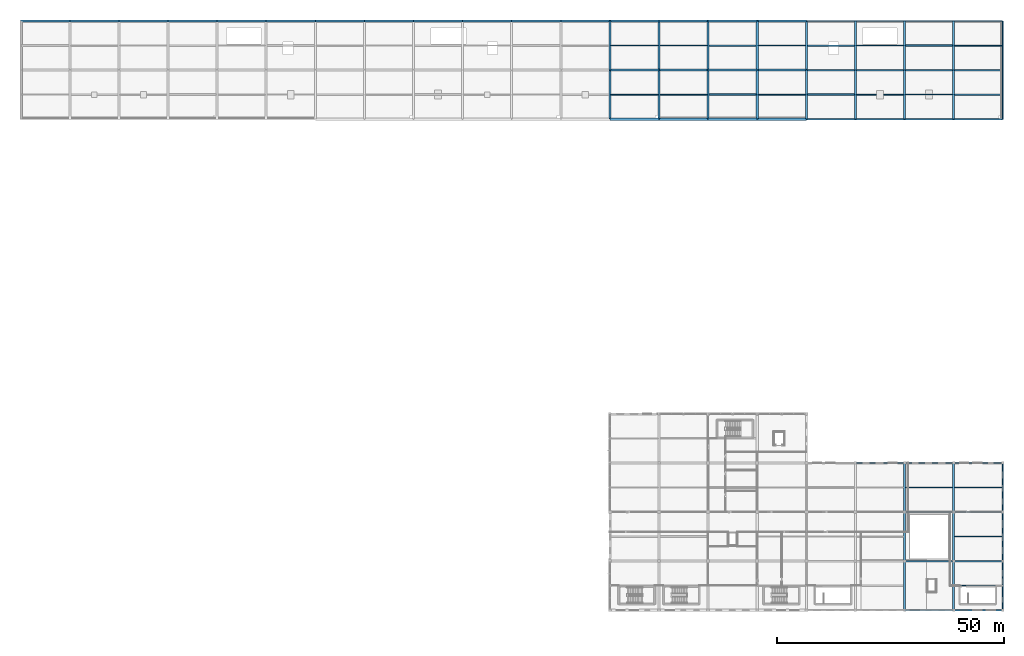
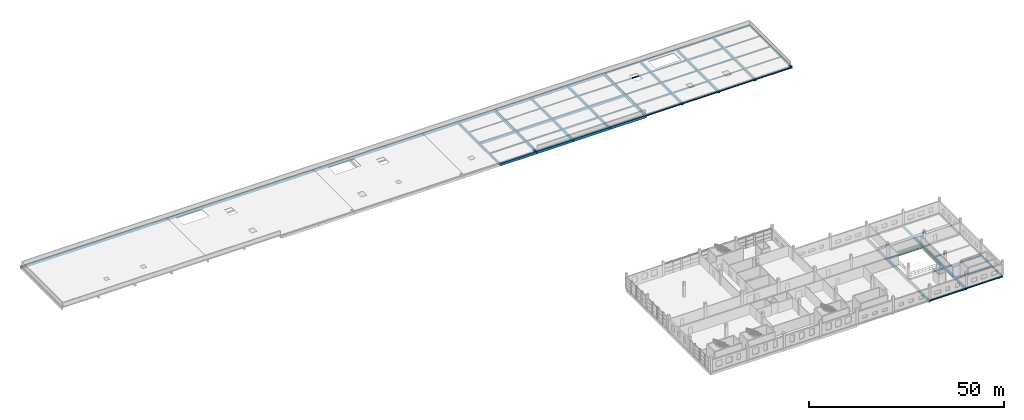
# One storey, part 10 of 24: 92 beams.
"""IFC4 building model written with IfcOpenShell, lengths in metres."""

import ifcopenshell
import ifcopenshell.guid

model = None  # the IFC model being written
_history = None  # IfcOwnerHistory: only IFC2X3 demands one
_inside = {}  # id of a spatial element -> (the spatial element, [elements in it])
_under = {}  # id of a project, library or spatial element -> (it, [spatial elements below it])
_declared = {}  # id of a project -> (the project, [libraries it declares])
_typed = {}  # id of a type object -> (the type object, [elements of that type])
_made_of = {}  # id of a material, layer set ... -> (it, [elements and type objects made of it])


def new_model(schema):
    """Start an empty IFC model of exactly this schema.

    Asked for "IFC4X3", IfcOpenShell would pick the latest addendum, in which some entities
    have other attributes; the version numbers below select the first issue.
    IFC2X3 requires an IfcOwnerHistory on every rooted entity: one is made here for all.
    """
    global model, _history
    if schema == "IFC4X3":
        model = ifcopenshell.file(schema_version=(4, 3, 0, 0))
    else:
        model = ifcopenshell.file(schema=schema)
    _inside.clear()
    _under.clear()
    _declared.clear()
    _typed.clear()
    _made_of.clear()
    _history = None
    if model.schema == "IFC2X3":
        org = make("IfcOrganization", Name="unknown")
        user = make(
            "IfcPersonAndOrganization",
            ThePerson=make("IfcPerson", FamilyName="unknown"),
            TheOrganization=org,
        )
        app = make(
            "IfcApplication",
            ApplicationDeveloper=org,
            Version="unknown",
            ApplicationFullName="unknown",
            ApplicationIdentifier="unknown",
        )
        _history = make(
            "IfcOwnerHistory",
            OwningUser=user,
            OwningApplication=app,
            ChangeAction="ADDED",
            CreationDate=0,
        )
    return model


def make(cls, **values):
    """One entity of the class cls with the attributes given. An attribute that is None is left unset."""
    return model.create_entity(
        cls, **{name: value for name, value in values.items() if value is not None}
    )


def rooted(cls, **values):
    """An entity with a GlobalId (a new one), such as an element, a storey or a relation."""
    return make(cls, GlobalId=ifcopenshell.guid.new(), OwnerHistory=_history, **values)


def si_unit(unit_type, name, prefix=None):
    """IfcSIUnit, for example si_unit("LENGTHUNIT", "METRE", prefix="MILLI")."""
    return make("IfcSIUnit", UnitType=unit_type, Prefix=prefix, Name=name)


def assignment(units):
    """IfcUnitAssignment: the units of a project."""
    return None if units is None else make("IfcUnitAssignment", Units=units)


def point(xyz):
    """IfcCartesianPoint."""
    return None if xyz is None else make("IfcCartesianPoint", Coordinates=xyz)


def direction(xyz):
    """IfcDirection."""
    return None if xyz is None else make("IfcDirection", DirectionRatios=xyz)


def frame(location, z_axis=None, x_axis=None):
    """IfcAxis2Placement3D, a coordinate frame: its origin and axes. An axis left out is left unset."""
    return make(
        "IfcAxis2Placement3D",
        Location=point(location),
        Axis=direction(z_axis),
        RefDirection=direction(x_axis),
    )


def frame_2d(location, x_axis=None):
    """IfcAxis2Placement2D, a coordinate frame in the plane: its origin and x axis."""
    return make(
        "IfcAxis2Placement2D", Location=point(location), RefDirection=direction(x_axis)
    )


def origin():
    """The frame at (0, 0, 0) with its axes left unset."""
    return frame((0.0, 0.0, 0.0))


def origin_2d():
    """The frame at (0, 0) in the plane with its x axis left unset."""
    return frame_2d((0.0, 0.0))


def place(relative_to, where):
    """IfcLocalPlacement: puts the frame where relative to a parent placement (None: the world)."""
    return make(
        "IfcLocalPlacement", PlacementRelTo=relative_to, RelativePlacement=where
    )


def context(
    kind, dimensions, precision=None, world=None, true_north=None, identifier=None
):
    """IfcGeometricRepresentationContext, for example the 3D "Model" context."""
    return make(
        "IfcGeometricRepresentationContext",
        ContextIdentifier=identifier,
        ContextType=kind,
        CoordinateSpaceDimension=dimensions,
        Precision=precision,
        WorldCoordinateSystem=world,
        TrueNorth=true_north,
    )


def subcontext(parent, identifier, kind, view, scale=None):
    """IfcGeometricRepresentationSubContext, for example "Body" below "Model"."""
    return make(
        "IfcGeometricRepresentationSubContext",
        ContextIdentifier=identifier,
        ContextType=kind,
        ParentContext=parent,
        TargetScale=scale,
        TargetView=view,
    )


def project(units=None, contexts=None):
    """IfcProject with its units and contexts."""
    return rooted(
        "IfcProject",
        Name="project",
        RepresentationContexts=contexts,
        UnitsInContext=assignment(units),
    )


def spatial(cls, under=None, at=None, **own):
    """A site, building, storey or space (cls), placed at a placement, below another one or the project."""
    s = rooted(cls, ObjectPlacement=at, **own)
    if under is not None:
        _under.setdefault(under.id(), (under, []))[1].append(s)
    return s


def profile(cls, at=None, kind="AREA", **sizes):
    """A parametric profile (cls). Its sizes go by their IFC names, for example OverallWidth=200.0."""
    return make(cls, ProfileType=kind, Position=at, **sizes)


def rectangle(**sizes):
    """IfcRectangleProfileDef."""
    return profile("IfcRectangleProfileDef", **sizes)


def i_section(**sizes):
    """IfcIShapeProfileDef."""
    return profile("IfcIShapeProfileDef", **sizes)


def extrude(swept, where, along, depth):
    """IfcExtrudedAreaSolid: the profile swept, set in the frame where, extruded along a direction by depth."""
    return make(
        "IfcExtrudedAreaSolid",
        SweptArea=swept,
        Position=where,
        ExtrudedDirection=direction(along),
        Depth=depth,
    )


def shape(context_of_items, identifier, shape_type, items):
    """IfcShapeRepresentation: the items that make up one representation, for example the "Body"."""
    return make(
        "IfcShapeRepresentation",
        ContextOfItems=context_of_items,
        RepresentationIdentifier=identifier,
        RepresentationType=shape_type,
        Items=items,
    )


def material(Name=None, Category=None):
    """IfcMaterial."""
    return make("IfcMaterial", Name=Name, Category=Category)


def material_profile(
    of_material, cross_section, Name=None, Category=None, Priority=None
):
    """IfcMaterialProfile: a cross section and its material."""
    return make(
        "IfcMaterialProfile",
        Name=Name,
        Material=of_material,
        Profile=cross_section,
        Priority=Priority,
        Category=Category,
    )


def profile_set(profiles, Name=None, composite=None):
    """IfcMaterialProfileSet."""
    return make(
        "IfcMaterialProfileSet",
        Name=Name,
        MaterialProfiles=profiles,
        CompositeProfile=composite,
    )


def made_of(thing, what):
    """Note that an element or type object is made of a material, layer set ...; save() writes the relation."""
    if what is not None:
        _made_of.setdefault(what.id(), (what, []))[1].append(thing)
    return thing


def type_object(cls, material=None, **own):
    """A type object (cls), such as IfcWallType, which elements share."""
    return made_of(rooted(cls, **own), material)


def element(
    cls,
    number,
    at=None,
    inside=None,
    cuts=None,
    type_object=None,
    material=None,
    context=None,
    identifier="Body",
    shape_type=None,
    held_by="IfcProductDefinitionShape",
    body=None,
    shapes=None,
    **own,
):
    """One element of the class cls, such as IfcWall. Its Tag is "e" and its number.

    at: its placement. inside: the storey or other place that contains it. cuts: it is an
    opening in that element (IfcRelVoidsElement). A single representation is given by context,
    identifier, shape_type and body (its items); several are given by shapes. held_by: the class
    of the entity that holds the representations. save() writes the other relations.
    """
    e = rooted(cls, Tag="e%d" % number, ObjectPlacement=at, **own)
    if body is not None:
        shapes = [shape(context, identifier, shape_type, body)]
    if shapes is not None:
        e.Representation = make(held_by, Representations=shapes)
    if inside is not None:
        _inside.setdefault(inside.id(), (inside, []))[1].append(e)
    if cuts is not None:
        rooted(
            "IfcRelVoidsElement", RelatingBuildingElement=cuts, RelatedOpeningElement=e
        )
    if type_object is not None:
        _typed.setdefault(type_object.id(), (type_object, []))[1].append(e)
    return made_of(e, material)


def aggregate(whole, parts):
    """IfcRelAggregates: a whole, such as a stair, and the parts it consists of."""
    return rooted("IfcRelAggregates", RelatingObject=whole, RelatedObjects=parts)


def save(model, path):
    """Write the relations noted so far, then the file.

    IfcRelAggregates (storeys below a building ...), IfcRelContainedInSpatialStructure (elements
    in a storey), IfcRelDefinesByType, IfcRelAssociatesMaterial and IfcRelDeclares: one each for
    every whole, place, type object, material and project.
    """
    for whole, parts in _under.values():
        aggregate(whole, parts)
    for where, things in _inside.values():
        rooted(
            "IfcRelContainedInSpatialStructure",
            RelatedElements=things,
            RelatingStructure=where,
        )
    for kind, things in _typed.values():
        rooted("IfcRelDefinesByType", RelatedObjects=things, RelatingType=kind)
    for what, things in _made_of.values():
        rooted("IfcRelAssociatesMaterial", RelatedObjects=things, RelatingMaterial=what)
    for by, libraries in _declared.values():
        rooted("IfcRelDeclares", RelatingContext=by, RelatedDefinitions=libraries)
    model.write(path)


model = new_model("IFC4")

# Units and contexts
model_context = context("Model", 3, precision=1e-05, world=origin(), true_north=direction((0.0, 1.0)))
body_context = subcontext(model_context, "Body", "Model", "MODEL_VIEW")
ifc_project = project(units=[si_unit("LENGTHUNIT", "METRE"), si_unit("AREAUNIT", "SQUARE_METRE"), si_unit("VOLUMEUNIT", "CUBIC_METRE"), si_unit("PLANEANGLEUNIT", "RADIAN"), si_unit("MASSUNIT", "GRAM", prefix="KILO")], contexts=[model_context])

# Site, building, storey
site_placement = place(None, origin())
site = spatial("IfcSite", under=ifc_project, at=site_placement, CompositionType="ELEMENT")
building_placement = place(site_placement, origin())
building = spatial("IfcBuilding", under=site, at=building_placement, Name="Zwinboog Wholesale Market", CompositionType="ELEMENT")
storey_placement = place(building_placement, frame((0.0, 0.0, 10.080078125)))
storey = spatial("IfcBuildingStorey", under=building, at=storey_placement, Name="L02", CompositionType="ELEMENT", Elevation=10.080078125)

# Beams
ifc_material_1 = material(Name="Precast concrete C45/55", Category="concrete")
ifc_material_profile_1 = material_profile(ifc_material_1, rectangle(XDim=0.449951171875, YDim=0.75, at=origin_2d()), Name="PC 450x750")
ifc_profile_set_1 = profile_set([ifc_material_profile_1], Name="Precast concrete C45/55")
beam_type_1 = type_object("IfcBeamType", Name="BT-04", PredefinedType="BEAM", material=ifc_profile_set_1)
for number, where, z_axis, x_axis, name in (
    (1, (194.39990234375, 0.0, -0.70703125), (0.0, 1.0, 0.0), (-1.0, 0.0, 0.0), "BG-04 (BMG-L02-1944-0000-0976)"),
    (2, (194.39990234375, 10.800048828125, -0.70703125), (0.0, 1.0, 0.0), (-1.0, 0.0, 0.0), "BG-04 (BMG-L02-1944-0108-0977)"),
):
    element("IfcBeam", number, at=place(storey_placement, frame(where, z_axis=z_axis, x_axis=x_axis)), inside=storey, type_object=beam_type_1, Name=name, PredefinedType="BEAM", context=body_context, shape_type="SweptSolid", body=[
        extrude(rectangle(XDim=0.449951171875, YDim=0.75, at=origin_2d()), origin(), (0.0, 0.0, 1.0), 10.800048828125),
    ])
beam_1_placement = place(storey_placement, frame((194.39990234375, 21.60009765625, -0.70703125), z_axis=(0.0, 1.0, 0.0), x_axis=(-1.0, 0.0, 0.0)))
element("IfcBeam", 3, at=beam_1_placement, inside=storey, type_object=beam_type_1, Name="BG-04 (BMG-L02-1944-0216-0978)", PredefinedType="BEAM", context=body_context, shape_type="SweptSolid", body=[
    extrude(rectangle(XDim=0.449951171875, YDim=0.75, at=origin_2d()), origin(), (0.0, 0.0, 1.0), 10.7998046875),
])
for number, where, z_axis, x_axis, name in (
    (4, (205.199951171875, 0.0, -0.630126953125), (0.0, 1.0, 0.0), (-1.0, 0.0, 0.0), "BG-04 (BMG-L02-2052-0000-0979)"),
    (5, (205.199951171875, 10.800048828125, -0.630126953125), (0.0, 1.0, 0.0), (-1.0, 0.0, 0.0), "BG-04 (BMG-L02-2052-0108-0980)"),
):
    element("IfcBeam", number, at=place(storey_placement, frame(where, z_axis=z_axis, x_axis=x_axis)), inside=storey, type_object=beam_type_1, Name=name, PredefinedType="BEAM", context=body_context, shape_type="SweptSolid", body=[
        extrude(rectangle(XDim=0.449951171875, YDim=0.75, at=origin_2d()), origin(), (0.0, 0.0, 1.0), 10.800048828125),
    ])
for number, where, z_axis, x_axis, name in (
    (6, (205.199951171875, 21.60009765625, -0.630126953125), (0.0, 1.0, 0.0), (-1.0, 0.0, 0.0), "BG-04 (BMG-L02-2052-0216-0981)"),
    (7, (129.60009765625, 108.0, -0.671142578125), (1.0, 0.0, 0.0), (0.0, 1.0, 0.0), "BG-04 (BM-TER-L02-0079)"),
):
    element("IfcBeam", number, at=place(storey_placement, frame(where, z_axis=z_axis, x_axis=x_axis)), inside=storey, type_object=beam_type_1, Name=name, PredefinedType="BEAM", context=body_context, shape_type="SweptSolid", body=[
        extrude(rectangle(XDim=0.449951171875, YDim=0.75, at=origin_2d()), origin(), (0.0, 0.0, 1.0), 10.7998046875),
    ])
for number, where, z_axis, x_axis, name in (
    (8, (140.39990234375, 108.0, -0.671142578125), (1.0, 0.0, 0.0), (0.0, 1.0, 0.0), "BG-04 (BM-TER-L02-0080)"),
    (9, (151.199951171875, 108.0, -0.636962890625), (1.0, 0.0, 0.0), (0.0, 1.0, 0.0), "BG-04 (BM-TER-L02-0081)"),
    (10, (162.0, 108.0, -0.649169921875), (1.0, 0.0, 0.0), (0.0, 1.0, 0.0), "BG-04 (BM-TER-L02-0082)"),
):
    element("IfcBeam", number, at=place(storey_placement, frame(where, z_axis=z_axis, x_axis=x_axis)), inside=storey, type_object=beam_type_1, Name=name, PredefinedType="BEAM", context=body_context, shape_type="SweptSolid", body=[
        extrude(rectangle(XDim=0.449951171875, YDim=0.75, at=origin_2d()), origin(), (0.0, 0.0, 1.0), 10.800048828125),
    ])
beam_2_placement = place(storey_placement, frame((129.60009765625, 118.800048828125, -0.671142578125), z_axis=(1.0, 0.0, 0.0), x_axis=(0.0, 1.0, 0.0)))
element("IfcBeam", 11, at=beam_2_placement, inside=storey, type_object=beam_type_1, Name="BG-04 (BM-TER-L02-0099)", PredefinedType="BEAM", context=body_context, shape_type="SweptSolid", body=[
    extrude(rectangle(XDim=0.449951171875, YDim=0.75, at=origin_2d()), origin(), (0.0, 0.0, 1.0), 10.7998046875),
])
for number, where, z_axis, x_axis, name in (
    (12, (140.39990234375, 118.800048828125, -0.671142578125), (1.0, 0.0, 0.0), (0.0, 1.0, 0.0), "BG-04 (BM-TER-L02-0100)"),
    (13, (151.199951171875, 118.800048828125, -0.636962890625), (1.0, 0.0, 0.0), (0.0, 1.0, 0.0), "BG-04 (BM-TER-L02-0101)"),
    (14, (162.0, 118.800048828125, -0.649169921875), (1.0, 0.0, 0.0), (0.0, 1.0, 0.0), "BG-04 (BM-TER-L02-0102)"),
    (15, (0.0, 129.60009765625, -0.649169921875), (1.0, 0.0, 0.0), (0.0, 1.0, 0.0), "BG-04 (BM-TER-L02-0107)"),
    (16, (10.800048828125, 129.60009765625, -0.649169921875), (1.0, 0.0, 0.0), (0.0, 1.0, 0.0), "BG-04 (BM-TER-L02-0108)"),
):
    element("IfcBeam", number, at=place(storey_placement, frame(where, z_axis=z_axis, x_axis=x_axis)), inside=storey, type_object=beam_type_1, Name=name, PredefinedType="BEAM", context=body_context, shape_type="SweptSolid", body=[
        extrude(rectangle(XDim=0.449951171875, YDim=0.75, at=origin_2d()), origin(), (0.0, 0.0, 1.0), 10.800048828125),
    ])
beam_3_placement = place(storey_placement, frame((21.60009765625, 129.60009765625, -0.649169921875), z_axis=(1.0, 0.0, 0.0), x_axis=(0.0, 1.0, 0.0)))
element("IfcBeam", 17, at=beam_3_placement, inside=storey, type_object=beam_type_1, Name="BG-04 (BM-TER-L02-0109)", PredefinedType="BEAM", context=body_context, shape_type="SweptSolid", body=[
    extrude(rectangle(XDim=0.449951171875, YDim=0.75, at=origin_2d()), origin(), (0.0, 0.0, 1.0), 10.7998046875),
])
for number, where, z_axis, x_axis, name in (
    (18, (32.39990234375, 129.60009765625, -0.671142578125), (1.0, 0.0, 0.0), (0.0, 1.0, 0.0), "BG-04 (BM-TER-L02-0110)"),
    (19, (43.199951171875, 129.60009765625, -0.671142578125), (1.0, 0.0, 0.0), (0.0, 1.0, 0.0), "BG-04 (BM-TER-L02-0111)"),
    (20, (54.0, 129.60009765625, -0.671142578125), (1.0, 0.0, 0.0), (0.0, 1.0, 0.0), "BG-04 (BM-TER-L02-0112)"),
    (21, (64.800048828125, 129.60009765625, -0.671142578125), (1.0, 0.0, 0.0), (0.0, 1.0, 0.0), "BG-04 (BM-TER-L02-0113)"),
):
    element("IfcBeam", number, at=place(storey_placement, frame(where, z_axis=z_axis, x_axis=x_axis)), inside=storey, type_object=beam_type_1, Name=name, PredefinedType="BEAM", context=body_context, shape_type="SweptSolid", body=[
        extrude(rectangle(XDim=0.449951171875, YDim=0.75, at=origin_2d()), origin(), (0.0, 0.0, 1.0), 10.800048828125),
    ])
beam_4_placement = place(storey_placement, frame((75.60009765625, 129.60009765625, -0.671142578125), z_axis=(1.0, 0.0, 0.0), x_axis=(0.0, 1.0, 0.0)))
element("IfcBeam", 22, at=beam_4_placement, inside=storey, type_object=beam_type_1, Name="BG-04 (BM-TER-L02-0114)", PredefinedType="BEAM", context=body_context, shape_type="SweptSolid", body=[
    extrude(rectangle(XDim=0.449951171875, YDim=0.75, at=origin_2d()), origin(), (0.0, 0.0, 1.0), 10.7998046875),
])
for number, where, z_axis, x_axis, name in (
    (23, (86.39990234375, 129.60009765625, -0.671142578125), (1.0, 0.0, 0.0), (0.0, 1.0, 0.0), "BG-04 (BM-TER-L02-0115)"),
    (24, (97.199951171875, 129.60009765625, -0.649169921875), (1.0, 0.0, 0.0), (0.0, 1.0, 0.0), "BG-04 (BM-TER-L02-0116)"),
    (25, (108.0, 129.60009765625, -0.671142578125), (1.0, 0.0, 0.0), (0.0, 1.0, 0.0), "BG-04 (BM-TER-L02-0117)"),
    (26, (118.800048828125, 129.60009765625, -0.671142578125), (1.0, 0.0, 0.0), (0.0, 1.0, 0.0), "BG-04 (BM-TER-L02-0118)"),
):
    element("IfcBeam", number, at=place(storey_placement, frame(where, z_axis=z_axis, x_axis=x_axis)), inside=storey, type_object=beam_type_1, Name=name, PredefinedType="BEAM", context=body_context, shape_type="SweptSolid", body=[
        extrude(rectangle(XDim=0.449951171875, YDim=0.75, at=origin_2d()), origin(), (0.0, 0.0, 1.0), 10.800048828125),
    ])
beam_5_placement = place(storey_placement, frame((129.60009765625, 129.60009765625, -0.671142578125), z_axis=(1.0, 0.0, 0.0), x_axis=(0.0, 1.0, 0.0)))
element("IfcBeam", 27, at=beam_5_placement, inside=storey, type_object=beam_type_1, Name="BG-04 (BM-TER-L02-0119)", PredefinedType="BEAM", context=body_context, shape_type="SweptSolid", body=[
    extrude(rectangle(XDim=0.449951171875, YDim=0.75, at=origin_2d()), origin(), (0.0, 0.0, 1.0), 10.7998046875),
])
for number, where, z_axis, x_axis, name in (
    (28, (140.39990234375, 129.60009765625, -0.671142578125), (1.0, 0.0, 0.0), (0.0, 1.0, 0.0), "BG-04 (BM-TER-L02-0120)"),
    (29, (151.199951171875, 129.60009765625, -0.636962890625), (1.0, 0.0, 0.0), (0.0, 1.0, 0.0), "BG-04 (BM-TER-L02-0121)"),
    (30, (162.0, 129.60009765625, -0.649169921875), (1.0, 0.0, 0.0), (0.0, 1.0, 0.0), "BG-04 (BM-TER-L02-0122)"),
    (31, (129.60009765625, 108.0, -0.671142578125), (0.0, 1.0, 0.0), (-1.0, 0.0, 0.0), "BG-04 (BM-TER-L02-0151)"),
    (32, (129.60009765625, 118.800048828125, -0.671142578125), (0.0, 1.0, 0.0), (-1.0, 0.0, 0.0), "BG-04 (BM-TER-L02-0152)"),
    (33, (140.39990234375, 108.0, -0.671142578125), (0.0, 1.0, 0.0), (-1.0, 0.0, 0.0), "BG-04 (BM-TER-L02-0153)"),
    (34, (140.39990234375, 118.800048828125, -0.671142578125), (0.0, 1.0, 0.0), (-1.0, 0.0, 0.0), "BG-04 (BM-TER-L02-0154)"),
    (35, (151.199951171875, 108.0, -0.636962890625), (0.0, 1.0, 0.0), (-1.0, 0.0, 0.0), "BG-04 (BM-TER-L02-0155)"),
    (36, (151.199951171875, 118.800048828125, -0.636962890625), (0.0, 1.0, 0.0), (-1.0, 0.0, 0.0), "BG-04 (BM-TER-L02-0156)"),
    (37, (162.0, 108.0, -0.636962890625), (0.0, 1.0, 0.0), (-1.0, 0.0, 0.0), "BG-04 (BM-TER-L02-0157)"),
    (38, (162.0, 118.800048828125, -0.636962890625), (0.0, 1.0, 0.0), (-1.0, 0.0, 0.0), "BG-04 (BM-TER-L02-0158)"),
    (39, (172.800048828125, 108.0, -0.649169921875), (0.0, 1.0, 0.0), (-1.0, 0.0, 0.0), "BG-04 (BM-TER-L02-0159)"),
    (40, (172.800048828125, 118.800048828125, -0.649169921875), (0.0, 1.0, 0.0), (-1.0, 0.0, 0.0), "BG-04 (BM-TER-L02-0160)"),
    (41, (183.60009765625, 108.0, -0.649169921875), (0.0, 1.0, 0.0), (-1.0, 0.0, 0.0), "BG-04 (BM-TER-L02-0161)"),
    (42, (183.60009765625, 118.800048828125, -0.649169921875), (0.0, 1.0, 0.0), (-1.0, 0.0, 0.0), "BG-04 (BM-TER-L02-0162)"),
    (43, (194.39990234375, 108.0, -0.649169921875), (0.0, 1.0, 0.0), (-1.0, 0.0, 0.0), "BG-04 (BM-TER-L02-0163)"),
    (44, (194.39990234375, 118.800048828125, -0.649169921875), (0.0, 1.0, 0.0), (-1.0, 0.0, 0.0), "BG-04 (BM-TER-L02-0164)"),
    (45, (205.199951171875, 108.0, -0.649169921875), (0.0, 1.0, 0.0), (-1.0, 0.0, 0.0), "BG-04 (BM-TER-L02-0165)"),
    (46, (205.199951171875, 118.800048828125, -0.649169921875), (0.0, 1.0, 0.0), (-1.0, 0.0, 0.0), "BG-04 (BM-TER-L02-0166)"),
):
    element("IfcBeam", number, at=place(storey_placement, frame(where, z_axis=z_axis, x_axis=x_axis)), inside=storey, type_object=beam_type_1, Name=name, PredefinedType="BEAM", context=body_context, shape_type="SweptSolid", body=[
        extrude(rectangle(XDim=0.449951171875, YDim=0.75, at=origin_2d()), origin(), (0.0, 0.0, 1.0), 10.800048828125),
    ])
ifc_material_profile_2 = material_profile(ifc_material_1, rectangle(XDim=0.300048828125, YDim=0.60009765625, at=origin_2d()), Name="PC 300x600")
ifc_profile_set_2 = profile_set([ifc_material_profile_2], Name="Precast concrete C45/55")
beam_type_2 = type_object("IfcBeamType", Name="BT-09", PredefinedType="SPANDREL", material=ifc_profile_set_2)
for number, where, z_axis, x_axis, name in (
    (47, (216.0, 0.0, -0.55517578125), (0.0, 1.0, 0.0), (-1.0, 0.0, 0.0), "SP-02 (BMG-L02-2160-0000-0982)"),
    (48, (216.0, 10.800048828125, -0.55517578125), (0.0, 1.0, 0.0), (-1.0, 0.0, 0.0), "SP-02 (BMG-L02-2160-0108-0983)"),
):
    element("IfcBeam", number, at=place(storey_placement, frame(where, z_axis=z_axis, x_axis=x_axis)), inside=storey, type_object=beam_type_2, Name=name, PredefinedType="SPANDREL", context=body_context, shape_type="SweptSolid", body=[
        extrude(rectangle(XDim=0.300048828125, YDim=0.60009765625, at=origin_2d()), origin(), (0.0, 0.0, 1.0), 10.800048828125),
    ])
beam_6_placement = place(storey_placement, frame((216.0, 21.60009765625, -0.55517578125), z_axis=(0.0, 1.0, 0.0), x_axis=(-1.0, 0.0, 0.0)))
element("IfcBeam", 49, at=beam_6_placement, inside=storey, type_object=beam_type_2, Name="SP-02 (BMG-L02-2160-0216-0984)", PredefinedType="SPANDREL", context=body_context, shape_type="SweptSolid", body=[
    extrude(rectangle(XDim=0.300048828125, YDim=0.60009765625, at=origin_2d()), origin(), (0.0, 0.0, 1.0), 10.7998046875),
])
for number, where, z_axis, x_axis, name in (
    (50, (216.0, 108.0, -0.573974609375), (0.0, 1.0, 0.0), (-1.0, 0.0, 0.0), "SP-02 (BM-TER-L02-0167)"),
    (51, (216.0, 118.800048828125, -0.573974609375), (0.0, 1.0, 0.0), (-1.0, 0.0, 0.0), "SP-02 (BM-TER-L02-0168)"),
):
    element("IfcBeam", number, at=place(storey_placement, frame(where, z_axis=z_axis, x_axis=x_axis)), inside=storey, type_object=beam_type_2, Name=name, PredefinedType="SPANDREL", context=body_context, shape_type="SweptSolid", body=[
        extrude(rectangle(XDim=0.300048828125, YDim=0.60009765625, at=origin_2d()), origin(), (0.0, 0.0, 1.0), 10.800048828125),
    ])
ifc_material_profile_3 = material_profile(ifc_material_1, rectangle(XDim=0.300048828125, YDim=0.5, at=origin_2d()), Name="PC 300x500")
ifc_profile_set_3 = profile_set([ifc_material_profile_3], Name="Precast concrete C45/55")
beam_type_3 = type_object("IfcBeamType", Name="BT-10", PredefinedType="JOIST", material=ifc_profile_set_3)
beam_7_placement = place(storey_placement, frame((151.425048828125, 113.39990234375, -0.511962890625), z_axis=(1.0, 0.0, 0.0), x_axis=(0.0, 1.0, 0.0)))
element("IfcBeam", 52, at=beam_7_placement, inside=storey, type_object=beam_type_3, Name="BJ-01 (BM-TER-L02-0171)", PredefinedType="JOIST", context=body_context, shape_type="SweptSolid", body=[
    extrude(rectangle(XDim=0.300048828125, YDim=0.5, at=origin_2d()), origin(), (0.0, 0.0, 1.0), 10.349853515625),
])
for number, where, z_axis, x_axis, name in (
    (53, (173.02490234375, 113.39990234375, -0.524169921875), (1.0, 0.0, 0.0), (0.0, 1.0, 0.0), "BJ-01 (BM-TER-L02-0201)"),
    (54, (194.625, 124.199951171875, -0.524169921875), (1.0, 0.0, 0.0), (0.0, 1.0, 0.0), "BJ-01 (BM-TER-L02-0206)"),
):
    element("IfcBeam", number, at=place(storey_placement, frame(where, z_axis=z_axis, x_axis=x_axis)), inside=storey, type_object=beam_type_3, Name=name, PredefinedType="JOIST", context=body_context, shape_type="SweptSolid", body=[
        extrude(rectangle(XDim=0.300048828125, YDim=0.5, at=origin_2d()), origin(), (0.0, 0.0, 1.0), 10.35009765625),
    ])
ifc_material_2 = material(Name="Steel S355", Category="steel")
ifc_material_profile_4 = material_profile(ifc_material_2, i_section(OverallWidth=0.300048828125, OverallDepth=0.39990234375, WebThickness=0.013427734375, FlangeThickness=0.02392578125, FilletRadius=0.027099609375, at=origin_2d()), Name="HEB 400")
ifc_profile_set_4 = profile_set([ifc_material_profile_4], Name="Steel S355")
beam_type_4 = type_object("IfcBeamType", Name="BT-15", PredefinedType="BEAM", material=ifc_profile_set_4)
for number, where, z_axis, x_axis, name in (
    (55, (194.39990234375, 0.0, -0.531982421875), (1.0, 0.0, 0.0), (0.0, 1.0, 0.0), "SB-02 (BMG-L02-1944-0000-0923)"),
    (56, (205.199951171875, 0.0, -0.455078125), (1.0, 0.0, 0.0), (0.0, 1.0, 0.0), "SB-02 (BMG-L02-2052-0000-0924)"),
    (57, (194.39990234375, 10.800048828125, -0.531982421875), (1.0, 0.0, 0.0), (0.0, 1.0, 0.0), "SB-02 (BMG-L02-1944-0108-0931)"),
    (58, (205.199951171875, 10.800048828125, -0.455078125), (1.0, 0.0, 0.0), (0.0, 1.0, 0.0), "SB-02 (BMG-L02-2052-0108-0932)"),
    (59, (194.39990234375, 21.60009765625, -0.531982421875), (1.0, 0.0, 0.0), (0.0, 1.0, 0.0), "SB-02 (BMG-L02-1944-0216-0939)"),
    (60, (205.199951171875, 21.60009765625, -0.455078125), (1.0, 0.0, 0.0), (0.0, 1.0, 0.0), "SB-02 (BMG-L02-2052-0216-0940)"),
):
    element("IfcBeam", number, at=place(storey_placement, frame(where, z_axis=z_axis, x_axis=x_axis)), inside=storey, type_object=beam_type_4, Name=name, PredefinedType="BEAM", context=body_context, shape_type="SweptSolid", body=[
        extrude(i_section(OverallWidth=0.300048828125, OverallDepth=0.39990234375, WebThickness=0.013427734375, FlangeThickness=0.02392578125, FilletRadius=0.027099609375, at=origin_2d()), origin(), (0.0, 0.0, 1.0), 10.800048828125),
    ])
beam_8_placement = place(storey_placement, frame((183.60009765625, 32.39990234375, -0.531982421875), z_axis=(1.0, 0.0, 0.0), x_axis=(0.0, 1.0, 0.0)))
element("IfcBeam", 61, at=beam_8_placement, inside=storey, type_object=beam_type_4, Name="SB-02 (BMG-L02-1836-0324-0946)", PredefinedType="BEAM", context=body_context, shape_type="SweptSolid", body=[
    extrude(i_section(OverallWidth=0.300048828125, OverallDepth=0.39990234375, WebThickness=0.013427734375, FlangeThickness=0.02392578125, FilletRadius=0.027099609375, at=origin_2d()), origin(), (0.0, 0.0, 1.0), 10.7998046875),
])
for number, where, z_axis, x_axis, name in (
    (62, (194.39990234375, 32.39990234375, -0.531982421875), (1.0, 0.0, 0.0), (0.0, 1.0, 0.0), "SB-02 (BMG-L02-1944-0324-0947)"),
    (63, (205.199951171875, 32.39990234375, -0.455078125), (1.0, 0.0, 0.0), (0.0, 1.0, 0.0), "SB-02 (BMG-L02-2052-0324-0948)"),
    (64, (172.800048828125, 108.0, -0.47412109375), (1.0, 0.0, 0.0), (0.0, 1.0, 0.0), "SB-02 (BM-TER-L02-0083)"),
):
    element("IfcBeam", number, at=place(storey_placement, frame(where, z_axis=z_axis, x_axis=x_axis)), inside=storey, type_object=beam_type_4, Name=name, PredefinedType="BEAM", context=body_context, shape_type="SweptSolid", body=[
        extrude(i_section(OverallWidth=0.300048828125, OverallDepth=0.39990234375, WebThickness=0.013427734375, FlangeThickness=0.02392578125, FilletRadius=0.027099609375, at=origin_2d()), origin(), (0.0, 0.0, 1.0), 10.800048828125),
    ])
beam_9_placement = place(storey_placement, frame((183.60009765625, 108.0, -0.47412109375), z_axis=(1.0, 0.0, 0.0), x_axis=(0.0, 1.0, 0.0)))
element("IfcBeam", 65, at=beam_9_placement, inside=storey, type_object=beam_type_4, Name="SB-02 (BM-TER-L02-0084)", PredefinedType="BEAM", context=body_context, shape_type="SweptSolid", body=[
    extrude(i_section(OverallWidth=0.300048828125, OverallDepth=0.39990234375, WebThickness=0.013427734375, FlangeThickness=0.02392578125, FilletRadius=0.027099609375, at=origin_2d()), origin(), (0.0, 0.0, 1.0), 10.7998046875),
])
for number, where, z_axis, x_axis, name in (
    (66, (194.39990234375, 108.0, -0.47412109375), (1.0, 0.0, 0.0), (0.0, 1.0, 0.0), "SB-02 (BM-TER-L02-0085)"),
    (67, (205.199951171875, 108.0, -0.47412109375), (1.0, 0.0, 0.0), (0.0, 1.0, 0.0), "SB-02 (BM-TER-L02-0086)"),
    (68, (172.800048828125, 118.800048828125, -0.47412109375), (1.0, 0.0, 0.0), (0.0, 1.0, 0.0), "SB-02 (BM-TER-L02-0103)"),
):
    element("IfcBeam", number, at=place(storey_placement, frame(where, z_axis=z_axis, x_axis=x_axis)), inside=storey, type_object=beam_type_4, Name=name, PredefinedType="BEAM", context=body_context, shape_type="SweptSolid", body=[
        extrude(i_section(OverallWidth=0.300048828125, OverallDepth=0.39990234375, WebThickness=0.013427734375, FlangeThickness=0.02392578125, FilletRadius=0.027099609375, at=origin_2d()), origin(), (0.0, 0.0, 1.0), 10.800048828125),
    ])
beam_10_placement = place(storey_placement, frame((183.60009765625, 118.800048828125, -0.47412109375), z_axis=(1.0, 0.0, 0.0), x_axis=(0.0, 1.0, 0.0)))
element("IfcBeam", 69, at=beam_10_placement, inside=storey, type_object=beam_type_4, Name="SB-02 (BM-TER-L02-0104)", PredefinedType="BEAM", context=body_context, shape_type="SweptSolid", body=[
    extrude(i_section(OverallWidth=0.300048828125, OverallDepth=0.39990234375, WebThickness=0.013427734375, FlangeThickness=0.02392578125, FilletRadius=0.027099609375, at=origin_2d()), origin(), (0.0, 0.0, 1.0), 10.7998046875),
])
for number, where, z_axis, x_axis, name in (
    (70, (194.39990234375, 118.800048828125, -0.47412109375), (1.0, 0.0, 0.0), (0.0, 1.0, 0.0), "SB-02 (BM-TER-L02-0105)"),
    (71, (205.199951171875, 118.800048828125, -0.47412109375), (1.0, 0.0, 0.0), (0.0, 1.0, 0.0), "SB-02 (BM-TER-L02-0106)"),
    (72, (172.800048828125, 129.60009765625, -0.47412109375), (1.0, 0.0, 0.0), (0.0, 1.0, 0.0), "SB-02 (BM-TER-L02-0123)"),
):
    element("IfcBeam", number, at=place(storey_placement, frame(where, z_axis=z_axis, x_axis=x_axis)), inside=storey, type_object=beam_type_4, Name=name, PredefinedType="BEAM", context=body_context, shape_type="SweptSolid", body=[
        extrude(i_section(OverallWidth=0.300048828125, OverallDepth=0.39990234375, WebThickness=0.013427734375, FlangeThickness=0.02392578125, FilletRadius=0.027099609375, at=origin_2d()), origin(), (0.0, 0.0, 1.0), 10.800048828125),
    ])
beam_11_placement = place(storey_placement, frame((183.60009765625, 129.60009765625, -0.47412109375), z_axis=(1.0, 0.0, 0.0), x_axis=(0.0, 1.0, 0.0)))
element("IfcBeam", 73, at=beam_11_placement, inside=storey, type_object=beam_type_4, Name="SB-02 (BM-TER-L02-0124)", PredefinedType="BEAM", context=body_context, shape_type="SweptSolid", body=[
    extrude(i_section(OverallWidth=0.300048828125, OverallDepth=0.39990234375, WebThickness=0.013427734375, FlangeThickness=0.02392578125, FilletRadius=0.027099609375, at=origin_2d()), origin(), (0.0, 0.0, 1.0), 10.7998046875),
])
for number, where, z_axis, x_axis, name in (
    (74, (194.39990234375, 129.60009765625, -0.47412109375), (1.0, 0.0, 0.0), (0.0, 1.0, 0.0), "SB-02 (BM-TER-L02-0125)"),
    (75, (205.199951171875, 129.60009765625, -0.47412109375), (1.0, 0.0, 0.0), (0.0, 1.0, 0.0), "SB-02 (BM-TER-L02-0126)"),
):
    element("IfcBeam", number, at=place(storey_placement, frame(where, z_axis=z_axis, x_axis=x_axis)), inside=storey, type_object=beam_type_4, Name=name, PredefinedType="BEAM", context=body_context, shape_type="SweptSolid", body=[
        extrude(i_section(OverallWidth=0.300048828125, OverallDepth=0.39990234375, WebThickness=0.013427734375, FlangeThickness=0.02392578125, FilletRadius=0.027099609375, at=origin_2d()), origin(), (0.0, 0.0, 1.0), 10.800048828125),
    ])
ifc_material_profile_5 = material_profile(ifc_material_2, i_section(OverallWidth=0.300048828125, OverallDepth=0.2900390625, WebThickness=0.008544921875, FlangeThickness=0.013916015625, FilletRadius=0.027099609375, at=origin_2d()), Name="HEA 300")
ifc_profile_set_5 = profile_set([ifc_material_profile_5], Name="Steel S355")
beam_type_5 = type_object("IfcBeamType", Name="BT-18", PredefinedType="JOIST", material=ifc_profile_set_5)
beam_12_placement = place(storey_placement, frame((194.625, 27.0, -0.47705078125), z_axis=(1.0, 0.0, 0.0), x_axis=(0.0, 1.0, 0.0)))
element("IfcBeam", 76, at=beam_12_placement, inside=storey, type_object=beam_type_5, Name="SJ-01 (BMG-L02-1946-0270-0991)", PredefinedType="JOIST", context=body_context, shape_type="SweptSolid", body=[
    extrude(i_section(OverallWidth=0.300048828125, OverallDepth=0.2900390625, WebThickness=0.008544921875, FlangeThickness=0.013916015625, FilletRadius=0.027099609375, at=origin_2d()), origin(), (0.0, 0.0, 1.0), 10.35009765625),
])
beam_13_placement = place(storey_placement, frame((151.425048828125, 124.199951171875, -0.406982421875), z_axis=(1.0, 0.0, 0.0), x_axis=(0.0, 1.0, 0.0)))
element("IfcBeam", 77, at=beam_13_placement, inside=storey, type_object=beam_type_5, Name="SJ-01 (BM-TER-L02-0172)", PredefinedType="JOIST", context=body_context, shape_type="SweptSolid", body=[
    extrude(i_section(OverallWidth=0.300048828125, OverallDepth=0.2900390625, WebThickness=0.008544921875, FlangeThickness=0.013916015625, FilletRadius=0.027099609375, at=origin_2d()), origin(), (0.0, 0.0, 1.0), 10.349853515625),
])
beam_14_placement = place(storey_placement, frame((173.02490234375, 124.199951171875, -0.419189453125), z_axis=(1.0, 0.0, 0.0), x_axis=(0.0, 1.0, 0.0)))
element("IfcBeam", 78, at=beam_14_placement, inside=storey, type_object=beam_type_5, Name="SJ-01 (BM-TER-L02-0202)", PredefinedType="JOIST", context=body_context, shape_type="SweptSolid", body=[
    extrude(i_section(OverallWidth=0.300048828125, OverallDepth=0.2900390625, WebThickness=0.008544921875, FlangeThickness=0.013916015625, FilletRadius=0.027099609375, at=origin_2d()), origin(), (0.0, 0.0, 1.0), 10.35009765625),
])
beam_15_placement = place(storey_placement, frame((205.425048828125, 113.39990234375, -0.419189453125), z_axis=(1.0, 0.0, 0.0), x_axis=(0.0, 1.0, 0.0)))
element("IfcBeam", 79, at=beam_15_placement, inside=storey, type_object=beam_type_5, Name="SJ-01 (BM-TER-L02-0207)", PredefinedType="JOIST", context=body_context, shape_type="SweptSolid", body=[
    extrude(i_section(OverallWidth=0.300048828125, OverallDepth=0.2900390625, WebThickness=0.008544921875, FlangeThickness=0.013916015625, FilletRadius=0.027099609375, at=origin_2d()), origin(), (0.0, 0.0, 1.0), 10.425048828125),
])
ifc_material_profile_6 = material_profile(ifc_material_2, i_section(OverallWidth=0.18994140625, OverallDepth=0.449951171875, WebThickness=0.009521484375, FlangeThickness=0.0146484375, FilletRadius=0.02099609375, at=origin_2d()), Name="IPE 450")
ifc_profile_set_6 = profile_set([ifc_material_profile_6], Name="Steel S355")
beam_type_6 = type_object("IfcBeamType", Name="BT-19", PredefinedType="JOIST", material=ifc_profile_set_6)
beam_16_placement = place(storey_placement, frame((205.425048828125, 5.39990234375, -0.47998046875), z_axis=(1.0, 0.0, 0.0), x_axis=(0.0, 1.0, 0.0)))
element("IfcBeam", 80, at=beam_16_placement, inside=storey, type_object=beam_type_6, Name="SJ-02 (BMG-L02-2054-0054-0992)", PredefinedType="JOIST", context=body_context, shape_type="SweptSolid", body=[
    extrude(i_section(OverallWidth=0.18994140625, OverallDepth=0.449951171875, WebThickness=0.009521484375, FlangeThickness=0.0146484375, FilletRadius=0.02099609375, at=origin_2d()), origin(), (0.0, 0.0, 1.0), 10.425048828125),
])
beam_17_placement = place(storey_placement, frame((162.22509765625, 113.39990234375, -0.4990234375), z_axis=(1.0, 0.0, 0.0), x_axis=(0.0, 1.0, 0.0)))
element("IfcBeam", 81, at=beam_17_placement, inside=storey, type_object=beam_type_6, Name="SJ-02 (BM-TER-L02-0173)", PredefinedType="JOIST", context=body_context, shape_type="SweptSolid", body=[
    extrude(i_section(OverallWidth=0.18994140625, OverallDepth=0.449951171875, WebThickness=0.009521484375, FlangeThickness=0.0146484375, FilletRadius=0.02099609375, at=origin_2d()), origin(), (0.0, 0.0, 1.0), 10.349853515625),
])
beam_18_placement = place(storey_placement, frame((183.824951171875, 113.39990234375, -0.4990234375), z_axis=(1.0, 0.0, 0.0), x_axis=(0.0, 1.0, 0.0)))
element("IfcBeam", 82, at=beam_18_placement, inside=storey, type_object=beam_type_6, Name="SJ-02 (BM-TER-L02-0203)", PredefinedType="JOIST", context=body_context, shape_type="SweptSolid", body=[
    extrude(i_section(OverallWidth=0.18994140625, OverallDepth=0.449951171875, WebThickness=0.009521484375, FlangeThickness=0.0146484375, FilletRadius=0.02099609375, at=origin_2d()), origin(), (0.0, 0.0, 1.0), 10.35009765625),
])
beam_19_placement = place(storey_placement, frame((205.425048828125, 124.199951171875, -0.4990234375), z_axis=(1.0, 0.0, 0.0), x_axis=(0.0, 1.0, 0.0)))
element("IfcBeam", 83, at=beam_19_placement, inside=storey, type_object=beam_type_6, Name="SJ-02 (BM-TER-L02-0208)", PredefinedType="JOIST", context=body_context, shape_type="SweptSolid", body=[
    extrude(i_section(OverallWidth=0.18994140625, OverallDepth=0.449951171875, WebThickness=0.009521484375, FlangeThickness=0.0146484375, FilletRadius=0.02099609375, at=origin_2d()), origin(), (0.0, 0.0, 1.0), 10.425048828125),
])
ifc_material_profile_7 = material_profile(ifc_material_2, i_section(OverallWidth=0.169921875, OverallDepth=0.360107421875, WebThickness=0.008056640625, FlangeThickness=0.0126953125, FilletRadius=0.01806640625, at=origin_2d()), Name="IPE 360")
ifc_profile_set_7 = profile_set([ifc_material_profile_7], Name="Steel S355")
beam_type_7 = type_object("IfcBeamType", Name="BT-20", PredefinedType="JOIST", material=ifc_profile_set_7)
beam_20_placement = place(storey_placement, frame((205.425048828125, 16.199951171875, -0.43505859375), z_axis=(1.0, 0.0, 0.0), x_axis=(0.0, 1.0, 0.0)))
element("IfcBeam", 84, at=beam_20_placement, inside=storey, type_object=beam_type_7, Name="SJ-03 (BMG-L02-2054-0162-0993)", PredefinedType="JOIST", context=body_context, shape_type="SweptSolid", body=[
    extrude(i_section(OverallWidth=0.169921875, OverallDepth=0.360107421875, WebThickness=0.008056640625, FlangeThickness=0.0126953125, FilletRadius=0.01806640625, at=origin_2d()), origin(), (0.0, 0.0, 1.0), 10.425048828125),
])
beam_21_placement = place(storey_placement, frame((140.625, 113.39990234375, -0.47607421875), z_axis=(1.0, 0.0, 0.0), x_axis=(0.0, 1.0, 0.0)))
element("IfcBeam", 85, at=beam_21_placement, inside=storey, type_object=beam_type_7, Name="SJ-03 (BM-TER-L02-0169)", PredefinedType="JOIST", context=body_context, shape_type="SweptSolid", body=[
    extrude(i_section(OverallWidth=0.169921875, OverallDepth=0.360107421875, WebThickness=0.008056640625, FlangeThickness=0.0126953125, FilletRadius=0.01806640625, at=origin_2d()), origin(), (0.0, 0.0, 1.0), 10.35009765625),
])
beam_22_placement = place(storey_placement, frame((162.22509765625, 124.199951171875, -0.4541015625), z_axis=(1.0, 0.0, 0.0), x_axis=(0.0, 1.0, 0.0)))
element("IfcBeam", 86, at=beam_22_placement, inside=storey, type_object=beam_type_7, Name="SJ-03 (BM-TER-L02-0174)", PredefinedType="JOIST", context=body_context, shape_type="SweptSolid", body=[
    extrude(i_section(OverallWidth=0.169921875, OverallDepth=0.360107421875, WebThickness=0.008056640625, FlangeThickness=0.0126953125, FilletRadius=0.01806640625, at=origin_2d()), origin(), (0.0, 0.0, 1.0), 10.349853515625),
])
for number, where, z_axis, x_axis, name in (
    (87, (129.824951171875, 113.39990234375, -0.47607421875), (1.0, 0.0, 0.0), (0.0, 1.0, 0.0), "SJ-03 (BM-TER-L02-0199)"),
    (88, (183.824951171875, 124.199951171875, -0.4541015625), (1.0, 0.0, 0.0), (0.0, 1.0, 0.0), "SJ-03 (BM-TER-L02-0204)"),
):
    element("IfcBeam", number, at=place(storey_placement, frame(where, z_axis=z_axis, x_axis=x_axis)), inside=storey, type_object=beam_type_7, Name=name, PredefinedType="JOIST", context=body_context, shape_type="SweptSolid", body=[
        extrude(i_section(OverallWidth=0.169921875, OverallDepth=0.360107421875, WebThickness=0.008056640625, FlangeThickness=0.0126953125, FilletRadius=0.01806640625, at=origin_2d()), origin(), (0.0, 0.0, 1.0), 10.35009765625),
    ])
ifc_material_profile_8 = material_profile(ifc_material_2, i_section(OverallWidth=0.135009765625, OverallDepth=0.27001953125, WebThickness=0.006591796875, FlangeThickness=0.01025390625, FilletRadius=0.014892578125, at=origin_2d()), Name="IPE 270")
ifc_profile_set_8 = profile_set([ifc_material_profile_8], Name="Steel S355")
beam_type_8 = type_object("IfcBeamType", Name="BT-21", PredefinedType="JOIST", material=ifc_profile_set_8)
beam_23_placement = place(storey_placement, frame((205.425048828125, 27.0, -0.39013671875), z_axis=(1.0, 0.0, 0.0), x_axis=(0.0, 1.0, 0.0)))
element("IfcBeam", 89, at=beam_23_placement, inside=storey, type_object=beam_type_8, Name="SJ-04 (BMG-L02-2054-0270-0994)", PredefinedType="JOIST", context=body_context, shape_type="SweptSolid", body=[
    extrude(i_section(OverallWidth=0.135009765625, OverallDepth=0.27001953125, WebThickness=0.006591796875, FlangeThickness=0.01025390625, FilletRadius=0.014892578125, at=origin_2d()), origin(), (0.0, 0.0, 1.0), 10.425048828125),
])
for number, where, z_axis, x_axis, name in (
    (90, (140.625, 124.199951171875, -0.43115234375), (1.0, 0.0, 0.0), (0.0, 1.0, 0.0), "SJ-04 (BM-TER-L02-0170)"),
    (91, (129.824951171875, 124.199951171875, -0.43115234375), (1.0, 0.0, 0.0), (0.0, 1.0, 0.0), "SJ-04 (BM-TER-L02-0200)"),
    (92, (194.625, 113.39990234375, -0.4091796875), (1.0, 0.0, 0.0), (0.0, 1.0, 0.0), "SJ-04 (BM-TER-L02-0205)"),
):
    element("IfcBeam", number, at=place(storey_placement, frame(where, z_axis=z_axis, x_axis=x_axis)), inside=storey, type_object=beam_type_8, Name=name, PredefinedType="JOIST", context=body_context, shape_type="SweptSolid", body=[
        extrude(i_section(OverallWidth=0.135009765625, OverallDepth=0.27001953125, WebThickness=0.006591796875, FlangeThickness=0.01025390625, FilletRadius=0.014892578125, at=origin_2d()), origin(), (0.0, 0.0, 1.0), 10.35009765625),
    ])

save(model, "model.ifc")
